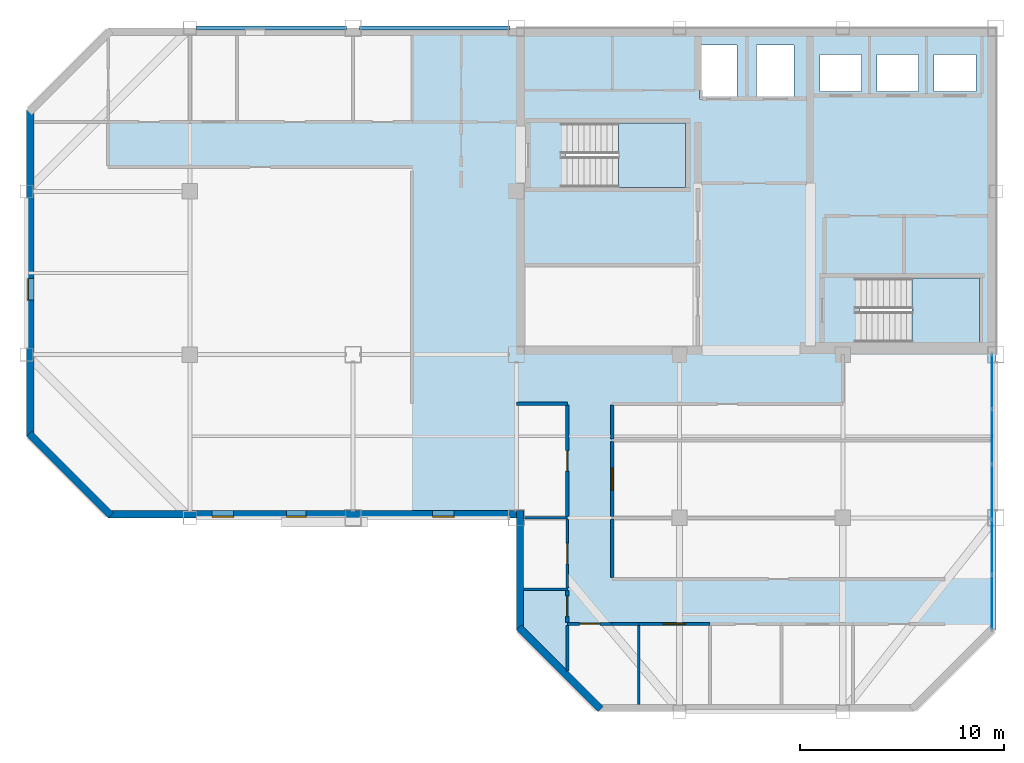
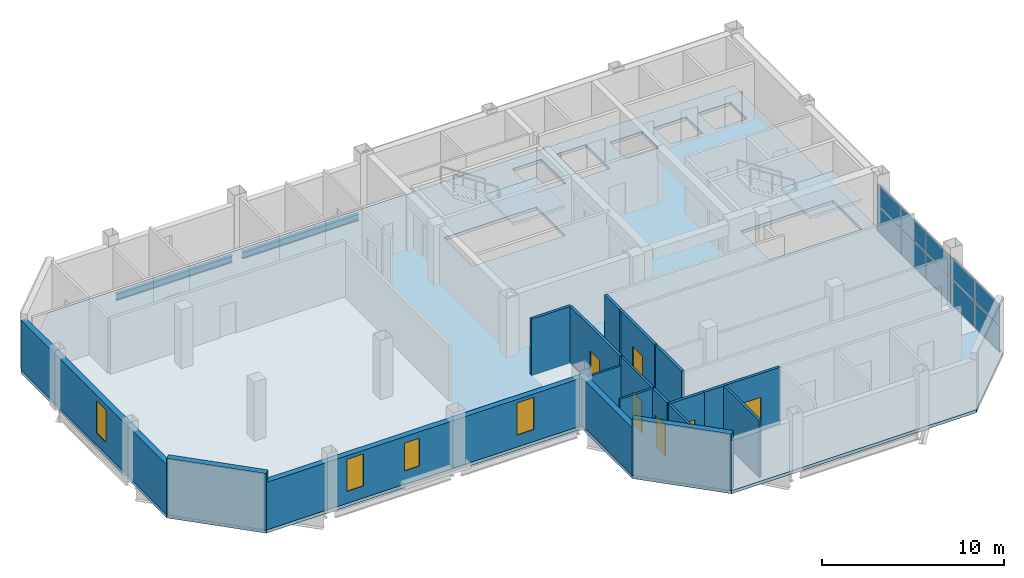
# One storey, part 7 of 13: 19 walls, 10 plates, 6 doors, 4 windows, 3 slabs, 2 beams, 10 openings, 3 elements without a shape of their own.
"""IFC4 building model written with IfcOpenShell, lengths in metres."""

from ifc_helpers import new_model, si_unit, direction, frame, frame_2d, origin, origin_2d, place, context, subcontext, project, spatial, polyline, rectangle, i_section, outline, extrude, material, layer, layer_set, material_profile, profile_set, type_object, element, fill, aggregate, save


model = new_model("IFC4")

# Units and contexts
model_context = context("Model", 3, precision=1e-05, world=origin(), true_north=direction((0.0, 1.0)))
body_context = subcontext(model_context, "Body", "Model", "MODEL_VIEW")
ifc_project = project(units=[si_unit("LENGTHUNIT", "METRE"), si_unit("AREAUNIT", "SQUARE_METRE"), si_unit("VOLUMEUNIT", "CUBIC_METRE"), si_unit("PLANEANGLEUNIT", "RADIAN"), si_unit("MASSUNIT", "GRAM", prefix="KILO")], contexts=[model_context])

# Site, building, storey
site_placement = place(None, origin())
site = spatial("IfcSite", under=ifc_project, at=site_placement, CompositionType="ELEMENT")
building_placement = place(site_placement, origin())
building = spatial("IfcBuilding", under=site, at=building_placement, Name="Qianrong Seaharbour Tower", CompositionType="ELEMENT")
storey_placement = place(building_placement, frame((0.0, 0.0, 299.199951171875)))
storey = spatial("IfcBuildingStorey", under=building, at=storey_placement, Name="L72", CompositionType="ELEMENT", Elevation=299.199951171875)

# Beams
ifc_material_1 = material(Name="Structural steel SN400B", Category="steel")
ifc_material_profile = material_profile(ifc_material_1, i_section(OverallWidth=0.199951171875, OverallDepth=0.449951171875, WebThickness=0.009033203125, FlangeThickness=0.013916015625, FilletRadius=0.01806640625, at=origin_2d()), Name="H450x200x9x14")
ifc_profile_set = profile_set([ifc_material_profile], Name="Structural steel SN400B")
beam_type = type_object("IfcBeamType", Name="BM-SP-450", PredefinedType="SPANDREL", material=ifc_profile_set)
for number, where, z_axis, x_axis, name in (
    (1, (24.820068359375, 52.0, -0.43994140625), (1.0, 0.0, 0.0), (0.0, 1.0, 0.0), "L72 Spandrel Girder GH G4-G5"),
    (2, (32.820068359375, 52.0, -0.43994140625), (1.0, 0.0, 0.0), (0.0, 1.0, 0.0), "L72 Spandrel Girder GH G5-G6"),
):
    element("IfcBeam", number, at=place(storey_placement, frame(where, z_axis=z_axis, x_axis=x_axis)), inside=storey, type_object=beam_type, Name=name, PredefinedType="SPANDREL", context=body_context, shape_type="SweptSolid", body=[
        extrude(i_section(OverallWidth=0.199951171875, OverallDepth=0.449951171875, WebThickness=0.009033203125, FlangeThickness=0.013916015625, FilletRadius=0.01806640625, at=origin_2d()), origin(), (0.0, 0.0, 1.0), 7.35986328125),
    ])

# Curtain wall, plates
ifc_material_2 = material(Name="Anodised aluminium 6063-T6 and laminated low-e glass", Category="aluminium")
ifc_layer_1 = layer(ifc_material_2, 0.195068359375)
ifc_layer_set_1 = layer_set([ifc_layer_1], Name="Anodised aluminium 6063-T6 and laminated low-e glass")
curtain_wall_type = type_object("IfcCurtainWallType", Name="CW-SYS-3", PredefinedType="NOTDEFINED", material=ifc_layer_set_1)
curtain_wall_placement = place(storey_placement, origin())
curtain_wall = element("IfcCurtainWall", 3, at=curtain_wall_placement, inside=storey, type_object=curtain_wall_type, Name="L72 Sky-Garden Wintergarden Curtain Wall EAST_WING", PredefinedType="NOTDEFINED")
ifc_material_3 = material(Name="Laminated solar-control low-e glass", Category="glass")
ifc_layer_2 = layer(ifc_material_3, 0.031982421875)
ifc_layer_set_2 = layer_set([ifc_layer_2], Name="Laminated solar-control low-e glass")
plate_type = type_object("IfcPlateType", Name="CW-PAN-VISION-32", PredefinedType="CURTAIN_PANEL", material=ifc_layer_set_2)
plate_1_placement = place(storey_placement, frame((63.820068359375, 34.677490234375, 0.06494140625), z_axis=(0.0, 0.0, 1.0), x_axis=(0.0, -1.0, 0.0)))
plate_1 = element("IfcPlate", 4, at=plate_1_placement, type_object=plate_type, Name="CW-3 panel 1.1", PredefinedType="CURTAIN_PANEL", context=body_context, shape_type="SweptSolid", body=[
    extrude(rectangle(XDim=2.60498046875, YDim=0.031982421875, at=origin_2d()), origin(), (0.0, 0.0, 1.0), 1.714599609375),
])
plate_2_placement = place(storey_placement, frame((63.820068359375, 34.677490234375, 1.8447265625), z_axis=(0.0, 0.0, 1.0), x_axis=(0.0, -1.0, 0.0)))
plate_2 = element("IfcPlate", 5, at=plate_2_placement, type_object=plate_type, Name="CW-3 panel 1.2", PredefinedType="CURTAIN_PANEL", context=body_context, shape_type="SweptSolid", body=[
    extrude(rectangle(XDim=2.60498046875, YDim=0.031982421875, at=origin_2d()), origin(), (0.0, 0.0, 1.0), 1.38525390625),
])
plate_3_placement = place(storey_placement, frame((63.820068359375, 31.985107421875, 0.06494140625), z_axis=(0.0, 0.0, 1.0), x_axis=(0.0, -1.0, 0.0)))
plate_3 = element("IfcPlate", 6, at=plate_3_placement, type_object=plate_type, Name="CW-3 panel 2.1", PredefinedType="CURTAIN_PANEL", context=body_context, shape_type="SweptSolid", body=[
    extrude(rectangle(XDim=2.639892578125, YDim=0.031982421875, at=origin_2d()), origin(), (0.0, 0.0, 1.0), 1.714599609375),
])
plate_4_placement = place(storey_placement, frame((63.820068359375, 31.985107421875, 1.8447265625), z_axis=(0.0, 0.0, 1.0), x_axis=(0.0, -1.0, 0.0)))
plate_4 = element("IfcPlate", 7, at=plate_4_placement, type_object=plate_type, Name="CW-3 panel 2.2", PredefinedType="CURTAIN_PANEL", context=body_context, shape_type="SweptSolid", body=[
    extrude(rectangle(XDim=2.639892578125, YDim=0.031982421875, at=origin_2d()), origin(), (0.0, 0.0, 1.0), 1.38525390625),
])
plate_5_placement = place(storey_placement, frame((63.820068359375, 29.27490234375, 0.06494140625), z_axis=(0.0, 0.0, 1.0), x_axis=(0.0, -1.0, 0.0)))
plate_5 = element("IfcPlate", 8, at=plate_5_placement, type_object=plate_type, Name="CW-3 panel 3.1", PredefinedType="CURTAIN_PANEL", context=body_context, shape_type="SweptSolid", body=[
    extrude(rectangle(XDim=2.639892578125, YDim=0.031982421875, at=origin_2d()), origin(), (0.0, 0.0, 1.0), 1.714599609375),
])
plate_6_placement = place(storey_placement, frame((63.820068359375, 29.27490234375, 1.8447265625), z_axis=(0.0, 0.0, 1.0), x_axis=(0.0, -1.0, 0.0)))
plate_6 = element("IfcPlate", 9, at=plate_6_placement, type_object=plate_type, Name="CW-3 panel 3.2", PredefinedType="CURTAIN_PANEL", context=body_context, shape_type="SweptSolid", body=[
    extrude(rectangle(XDim=2.639892578125, YDim=0.031982421875, at=origin_2d()), origin(), (0.0, 0.0, 1.0), 1.38525390625),
])
plate_7_placement = place(storey_placement, frame((63.820068359375, 26.56494140625, 0.06494140625), z_axis=(0.0, 0.0, 1.0), x_axis=(0.0, -1.0, 0.0)))
plate_7 = element("IfcPlate", 10, at=plate_7_placement, type_object=plate_type, Name="CW-3 panel 4.1", PredefinedType="CURTAIN_PANEL", context=body_context, shape_type="SweptSolid", body=[
    extrude(rectangle(XDim=2.639892578125, YDim=0.031982421875, at=origin_2d()), origin(), (0.0, 0.0, 1.0), 1.714599609375),
])
plate_8_placement = place(storey_placement, frame((63.820068359375, 26.56494140625, 1.8447265625), z_axis=(0.0, 0.0, 1.0), x_axis=(0.0, -1.0, 0.0)))
plate_8 = element("IfcPlate", 11, at=plate_8_placement, type_object=plate_type, Name="CW-3 panel 4.2", PredefinedType="CURTAIN_PANEL", context=body_context, shape_type="SweptSolid", body=[
    extrude(rectangle(XDim=2.639892578125, YDim=0.031982421875, at=origin_2d()), origin(), (0.0, 0.0, 1.0), 1.38525390625),
])
plate_9_placement = place(storey_placement, frame((63.820068359375, 23.87255859375, 0.06494140625), z_axis=(0.0, 0.0, 1.0), x_axis=(0.0, -1.0, 0.0)))
plate_9 = element("IfcPlate", 12, at=plate_9_placement, type_object=plate_type, Name="CW-3 panel 5.1", PredefinedType="CURTAIN_PANEL", context=body_context, shape_type="SweptSolid", body=[
    extrude(rectangle(XDim=2.60498046875, YDim=0.031982421875, at=origin_2d()), origin(), (0.0, 0.0, 1.0), 1.714599609375),
])
plate_10_placement = place(storey_placement, frame((63.820068359375, 23.87255859375, 1.8447265625), z_axis=(0.0, 0.0, 1.0), x_axis=(0.0, -1.0, 0.0)))
plate_10 = element("IfcPlate", 13, at=plate_10_placement, type_object=plate_type, Name="CW-3 panel 5.2", PredefinedType="CURTAIN_PANEL", context=body_context, shape_type="SweptSolid", body=[
    extrude(rectangle(XDim=2.60498046875, YDim=0.031982421875, at=origin_2d()), origin(), (0.0, 0.0, 1.0), 1.38525390625),
])
aggregate(curtain_wall, [plate_1, plate_2, plate_3, plate_4, plate_5, plate_6, plate_7, plate_8, plate_9, plate_10])

# Stair, slab
ifc_material_4 = material(Name="Concrete C50/60", Category="concrete")
stair_type = type_object("IfcStairType", Name="STAIR-DOGLEG-1500-R22", PredefinedType="HALF_TURN_STAIR", material=ifc_material_4)
stair_1_placement = place(storey_placement, origin())
stair_1 = element("IfcStair", 14, at=stair_1_placement, inside=storey, type_object=stair_type, Name="L72 Protected Escape Stair ST-1", PredefinedType="HALF_TURN_STAIR")
ifc_layer_3 = layer(ifc_material_4, 0.199951171875)
ifc_layer_set_3 = layer_set([ifc_layer_3], Name="Concrete C50/60")
slab_type_1 = type_object("IfcSlabType", Name="SLAB-STAIR-LANDING-200", PredefinedType="LANDING", material=ifc_layer_set_3)
slab_1_placement = place(storey_placement, frame((0.0, 0.0, 1.800048828125)))
slab_1 = element("IfcSlab", 15, at=slab_1_placement, type_object=slab_type_1, Name="ST-1 landing 1", PredefinedType="LANDING", context=body_context, shape_type="SweptSolid", body=[
    extrude(outline(polyline([(45.5, 44.199951171875), (48.800048828125, 44.199951171875), (48.800048828125, 47.35009765625), (45.5, 47.35009765625), (45.5, 44.199951171875)])), origin(), (0.0, 0.0, 1.0), 0.199951171875),
])
aggregate(stair_1, [slab_1])

stair_2_placement = place(storey_placement, origin())
stair_2 = element("IfcStair", 16, at=stair_2_placement, inside=storey, type_object=stair_type, Name="L72 Protected Escape Stair ST-2", PredefinedType="HALF_TURN_STAIR")
slab_2_placement = place(storey_placement, frame((0.0, 0.0, 1.800048828125)))
slab_2 = element("IfcSlab", 17, at=slab_2_placement, type_object=slab_type_1, Name="ST-2 landing 1", PredefinedType="LANDING", context=body_context, shape_type="SweptSolid", body=[
    extrude(outline(polyline([(59.89990234375, 36.60009765625), (63.199951171875, 36.60009765625), (63.199951171875, 39.75), (59.89990234375, 39.75), (59.89990234375, 36.60009765625)])), origin(), (0.0, 0.0, 1.0), 0.199951171875),
])
aggregate(stair_2, [slab_2])

# Slab
ifc_layer_4 = layer(ifc_material_4, 0.215087890625)
ifc_layer_set_4 = layer_set([ifc_layer_4], Name="Concrete C50/60")
slab_type_2 = type_object("IfcSlabType", Name="SLAB-Z4-215", PredefinedType="FLOOR", material=ifc_layer_set_4)
slab_3_placement = place(storey_placement, frame((0.0, 0.0, -0.21484375)))
element("IfcSlab", 18, at=slab_3_placement, inside=storey, type_object=slab_type_2, Name="L72 Structural Floor Slab", PredefinedType="FLOOR", context=body_context, shape_type="SweptSolid", body=[
    extrude(outline(polyline([(44.5, 18.5), (60.0, 18.5), (64.0, 22.5), (64.0, 52.0), (20.5, 52.0), (16.5, 48.0), (16.5, 32.0), (20.5, 28.0), (40.5, 28.0), (40.5, 22.5), (44.5, 18.5)]), holes=[polyline([(42.93994140625, 44.199951171875), (42.93994140625, 47.35009765625), (48.800048828125, 47.35009765625), (48.800048828125, 44.199951171875), (42.93994140625, 44.199951171875)]), polyline([(57.340087890625, 36.60009765625), (57.340087890625, 39.75), (63.199951171875, 39.75), (63.199951171875, 36.60009765625), (57.340087890625, 36.60009765625)]), polyline([(49.47998046875, 48.530029296875), (49.47998046875, 51.169921875), (51.320068359375, 51.169921875), (51.320068359375, 48.530029296875), (49.47998046875, 48.530029296875)]), polyline([(52.280029296875, 48.530029296875), (52.280029296875, 51.169921875), (54.1201171875, 51.169921875), (54.1201171875, 48.530029296875), (52.280029296875, 48.530029296875)]), polyline([(55.3798828125, 48.89990234375), (55.3798828125, 50.699951171875), (57.419921875, 50.699951171875), (57.419921875, 48.89990234375), (55.3798828125, 48.89990234375)]), polyline([(58.179931640625, 48.89990234375), (58.179931640625, 50.699951171875), (60.219970703125, 50.699951171875), (60.219970703125, 48.89990234375), (58.179931640625, 48.89990234375)]), polyline([(60.97998046875, 48.89990234375), (60.97998046875, 50.699951171875), (63.02001953125, 50.699951171875), (63.02001953125, 48.89990234375), (60.97998046875, 48.89990234375)])]), origin(), (0.0, 0.0, 1.0), 0.21484375),
])

# Walls
ifc_material_5 = material(Name="Fire-rated acoustic gypsum board partition")
ifc_layer_5 = layer(ifc_material_5, 0.1650390625)
ifc_layer_set_5 = layer_set([ifc_layer_5], Name="Fire-rated acoustic gypsum board partition")
wall_type_1 = type_object("IfcWallType", Name="WALL-CORR-PART-165", PredefinedType="PARTITIONING", material=ifc_layer_set_5)
wall_1_placement = place(storey_placement, frame((43.0, 33.60009765625, 0.0), z_axis=(0.0, 0.0, 1.0), x_axis=(-1.0, 0.0, 0.0)))
element("IfcWall", 19, at=wall_1_placement, inside=storey, type_object=wall_type_1, Name="L72 Interior Partition Wall 027", PredefinedType="PARTITIONING", context=body_context, shape_type="SweptSolid", body=[
    extrude(rectangle(XDim=2.5, YDim=0.1650390625, at=frame_2d((1.25, 0.0))), origin(), (0.0, 0.0, 1.0), 3.78515625),
])
wall_2_placement = place(storey_placement, frame((45.199951171875, 27.935546875, 0.0), z_axis=(0.0, 0.0, 1.0), x_axis=(0.0, -1.0, 0.0)))
element("IfcWall", 20, at=wall_2_placement, inside=storey, type_object=wall_type_1, Name="L72 Interior Partition Wall 028", PredefinedType="PARTITIONING", context=body_context, shape_type="SweptSolid", body=[
    extrude(rectangle(XDim=2.861083984375, YDim=0.1650390625, at=frame_2d((1.4306640625, 0.0))), origin(), (0.0, 0.0, 1.0), 3.78515625),
])

# Wall, opening, door
wall_3_placement = place(storey_placement, frame((45.199951171875, 31.735595703125, 0.0), z_axis=(0.0, 0.0, 1.0), x_axis=(0.0, -1.0, 0.0)))
wall_3 = element("IfcWall", 21, at=wall_3_placement, inside=storey, type_object=wall_type_1, Name="L72 Interior Partition Wall 029", PredefinedType="PARTITIONING", context=body_context, shape_type="SweptSolid", body=[
    extrude(rectangle(XDim=3.671142578125, YDim=0.1650390625, at=frame_2d((1.83544921875, 0.0))), origin(), (0.0, 0.0, 1.0), 3.78515625),
])
opening_1_placement = place(wall_3_placement, frame((1.285400390625, 0.0, 0.0)))
opening_1 = element("IfcOpeningElement", 22, at=opening_1_placement, cuts=wall_3, Name="Opening DM-01", PredefinedType="OPENING", context=body_context, shape_type="SweptSolid", body=[
    extrude(rectangle(XDim=1.10009765625, YDim=2.199951171875, at=frame_2d((0.550048828125, 1.10009765625))), frame((0.0, 0.092529296875, 0.0), z_axis=(0.0, -1.0, 0.0), x_axis=(1.0, 0.0, 0.0)), (0.0, 0.0, 1.0), 0.18505859375),
])
ifc_material_6 = material(Name="Acoustic timber and galvanized steel fire door assembly", Category="steel")
door_type_1 = type_object("IfcDoorType", Name="DOOR-MEET-1100x2200", OperationType="NOTDEFINED", PredefinedType="DOOR", material=ifc_material_6)
door_1_placement = place(opening_1_placement, origin())
door_1 = element("IfcDoor", 23, at=door_1_placement, inside=storey, type_object=door_type_1, Name="L72 Boardroom 2 Door", OperationType="SINGLE_SWING_RIGHT", OverallHeight=2.199951171875, OverallWidth=1.10009765625, PredefinedType="DOOR", context=body_context, shape_type="SweptSolid", body=[
    extrude(rectangle(XDim=1.10009765625, YDim=2.199951171875, at=frame_2d((0.550048828125, 1.10009765625))), frame((0.0, 0.02490234375, 0.0), z_axis=(0.0, -1.0, 0.0), x_axis=(1.0, 0.0, 0.0)), (0.0, 0.0, 1.0), 0.050048828125),
])
fill(opening_1, door_1)

# Wall
wall_4_placement = place(storey_placement, frame((45.199951171875, 33.525390625, 0.0), z_axis=(0.0, 0.0, 1.0), x_axis=(0.0, -1.0, 0.0)))
element("IfcWall", 24, at=wall_4_placement, inside=storey, type_object=wall_type_1, Name="L72 Interior Partition Wall 030", PredefinedType="PARTITIONING", context=body_context, shape_type="SweptSolid", body=[
    extrude(rectangle(XDim=1.660888671875, YDim=0.1650390625, at=frame_2d((0.83056640625, 0.0))), origin(), (0.0, 0.0, 1.0), 3.78515625),
])

# Wall, opening, door
wall_5_placement = place(storey_placement, frame((43.0, 22.87451171875, 0.0), z_axis=(0.0, 0.0, 1.0), x_axis=(0.0, 1.0, 0.0)))
wall_5 = element("IfcWall", 25, at=wall_5_placement, inside=storey, type_object=wall_type_1, Name="L72 Interior Partition Wall 031", PredefinedType="PARTITIONING", context=body_context, shape_type="SweptSolid", body=[
    extrude(rectangle(XDim=1.568603515625, YDim=0.1650390625, at=frame_2d((0.7841796875, 0.0))), origin(), (0.0, 0.0, 1.0), 3.78515625),
])
opening_2_placement = place(wall_5_placement, frame((0.2841796875, 0.0, 0.0)))
opening_2 = element("IfcOpeningElement", 26, at=opening_2_placement, cuts=wall_5, Name="Opening DO-01", PredefinedType="OPENING", context=body_context, shape_type="SweptSolid", body=[
    extrude(rectangle(XDim=1.0, YDim=2.14990234375, at=frame_2d((0.5, 1.074951171875))), frame((0.0, 0.092529296875, 0.0), z_axis=(0.0, -1.0, 0.0), x_axis=(1.0, 0.0, 0.0)), (0.0, 0.0, 1.0), 0.18505859375),
])
door_type_2 = type_object("IfcDoorType", Name="DOOR-OFFICE-1000x2150", OperationType="NOTDEFINED", PredefinedType="DOOR", material=ifc_material_6)
door_2_placement = place(opening_2_placement, origin())
door_2 = element("IfcDoor", 27, at=door_2_placement, inside=storey, type_object=door_type_2, Name="L72 Executive Office 1 Door", OperationType="SINGLE_SWING_RIGHT", OverallHeight=2.14990234375, OverallWidth=1.0, PredefinedType="DOOR", context=body_context, shape_type="SweptSolid", body=[
    extrude(rectangle(XDim=1.0, YDim=2.14990234375, at=frame_2d((0.5, 1.074951171875))), frame((0.0, 0.02490234375, 0.0), z_axis=(0.0, -1.0, 0.0), x_axis=(1.0, 0.0, 0.0)), (0.0, 0.0, 1.0), 0.050048828125),
])
fill(opening_2, door_2)

wall_6_placement = place(storey_placement, frame((43.0, 28.056884765625, 0.0), z_axis=(0.0, 0.0, 1.0), x_axis=(0.0, 1.0, 0.0)))
wall_6 = element("IfcWall", 28, at=wall_6_placement, inside=storey, type_object=wall_type_1, Name="L72 Interior Partition Wall 033", PredefinedType="PARTITIONING", context=body_context, shape_type="SweptSolid", body=[
    extrude(rectangle(XDim=5.468505859375, YDim=0.1650390625, at=frame_2d((2.734375, 0.0))), origin(), (0.0, 0.0, 1.0), 3.78515625),
])
opening_3_placement = place(wall_6_placement, frame((2.234130859375, 0.0, 0.0)))
opening_3 = element("IfcOpeningElement", 29, at=opening_3_placement, cuts=wall_6, Name="Opening DO-01", PredefinedType="OPENING", context=body_context, shape_type="SweptSolid", body=[
    extrude(rectangle(XDim=1.0, YDim=2.14990234375, at=frame_2d((0.5, 1.074951171875))), frame((0.0, 0.092529296875, 0.0), z_axis=(0.0, -1.0, 0.0), x_axis=(1.0, 0.0, 0.0)), (0.0, 0.0, 1.0), 0.18505859375),
])
door_3_placement = place(opening_3_placement, origin())
door_3 = element("IfcDoor", 30, at=door_3_placement, inside=storey, type_object=door_type_2, Name="L72 Focus Room 3 Door", OperationType="SINGLE_SWING_RIGHT", OverallHeight=2.14990234375, OverallWidth=1.0, PredefinedType="DOOR", context=body_context, shape_type="SweptSolid", body=[
    extrude(rectangle(XDim=1.0, YDim=2.14990234375, at=frame_2d((0.5, 1.074951171875))), frame((0.0, 0.02490234375, 0.0), z_axis=(0.0, -1.0, 0.0), x_axis=(1.0, 0.0, 0.0)), (0.0, 0.0, 1.0), 0.050048828125),
])
fill(opening_3, door_3)

wall_7_placement = place(storey_placement, frame((45.199951171875, 22.800048828125, 0.0), z_axis=(0.0, 0.0, 1.0), x_axis=(-1.0, 0.0, 0.0)))
wall_7 = element("IfcWall", 31, at=wall_7_placement, inside=storey, type_object=wall_type_1, Name="L72 Interior Partition Wall 034", PredefinedType="PARTITIONING", context=body_context, shape_type="SweptSolid", body=[
    extrude(rectangle(XDim=2.199951171875, YDim=0.1650390625, at=frame_2d((1.10009765625, 0.0))), origin(), (0.0, 0.0, 1.0), 3.78515625),
])
opening_4_placement = place(wall_7_placement, frame((0.60009765625, 0.0, 0.0)))
opening_4 = element("IfcOpeningElement", 32, at=opening_4_placement, cuts=wall_7, Name="Opening DO-01", PredefinedType="OPENING", context=body_context, shape_type="SweptSolid", body=[
    extrude(rectangle(XDim=1.0, YDim=2.14990234375, at=frame_2d((0.5, 1.074951171875))), frame((0.0, 0.092529296875, 0.0), z_axis=(0.0, -1.0, 0.0), x_axis=(1.0, 0.0, 0.0)), (0.0, 0.0, 1.0), 0.18505859375),
])
door_4_placement = place(opening_4_placement, origin())
door_4 = element("IfcDoor", 33, at=door_4_placement, inside=storey, type_object=door_type_2, Name="L72 Executive Office 1 Door", OperationType="SINGLE_SWING_LEFT", OverallHeight=2.14990234375, OverallWidth=1.0, PredefinedType="DOOR", context=body_context, shape_type="SweptSolid", body=[
    extrude(rectangle(XDim=1.0, YDim=2.14990234375, at=frame_2d((0.5, 1.074951171875))), frame((0.0, 0.02490234375, 0.0), z_axis=(0.0, -1.0, 0.0), x_axis=(1.0, 0.0, 0.0)), (0.0, 0.0, 1.0), 0.050048828125),
])
fill(opening_4, door_4)

# Wall
wall_8_placement = place(storey_placement, frame((46.5, 22.800048828125, 0.0), z_axis=(0.0, 0.0, 1.0), x_axis=(-1.0, 0.0, 0.0)))
element("IfcWall", 34, at=wall_8_placement, inside=storey, type_object=wall_type_1, Name="L72 Interior Partition Wall 036", PredefinedType="PARTITIONING", context=body_context, shape_type="SweptSolid", body=[
    extrude(rectangle(XDim=1.300048828125, YDim=0.1650390625, at=frame_2d((0.64990234375, 0.0))), origin(), (0.0, 0.0, 1.0), 3.78515625),
])

# Wall, opening, door
wall_9_placement = place(storey_placement, frame((50.0, 22.800048828125, 0.0), z_axis=(0.0, 0.0, 1.0), x_axis=(-1.0, 0.0, 0.0)))
wall_9 = element("IfcWall", 35, at=wall_9_placement, inside=storey, type_object=wall_type_1, Name="L72 Interior Partition Wall 037", PredefinedType="PARTITIONING", context=body_context, shape_type="SweptSolid", body=[
    extrude(rectangle(XDim=3.5, YDim=0.1650390625, at=frame_2d((1.75, 0.0))), origin(), (0.0, 0.0, 1.0), 3.78515625),
])
opening_5_placement = place(wall_9_placement, frame((1.199951171875, 0.0, 0.0)))
opening_5 = element("IfcOpeningElement", 36, at=opening_5_placement, cuts=wall_9, Name="Opening DM-01", PredefinedType="OPENING", context=body_context, shape_type="SweptSolid", body=[
    extrude(rectangle(XDim=1.10009765625, YDim=2.199951171875, at=frame_2d((0.550048828125, 1.10009765625))), frame((0.0, 0.092529296875, 0.0), z_axis=(0.0, -1.0, 0.0), x_axis=(1.0, 0.0, 0.0)), (0.0, 0.0, 1.0), 0.18505859375),
])
door_5_placement = place(opening_5_placement, origin())
door_5 = element("IfcDoor", 37, at=door_5_placement, inside=storey, type_object=door_type_1, Name="L72 Meeting Room 2 Door", OperationType="SINGLE_SWING_RIGHT", OverallHeight=2.199951171875, OverallWidth=1.10009765625, PredefinedType="DOOR", context=body_context, shape_type="SweptSolid", body=[
    extrude(rectangle(XDim=1.10009765625, YDim=2.199951171875, at=frame_2d((0.550048828125, 1.10009765625))), frame((0.0, 0.02490234375, 0.0), z_axis=(0.0, -1.0, 0.0), x_axis=(1.0, 0.0, 0.0)), (0.0, 0.0, 1.0), 0.050048828125),
])
fill(opening_5, door_5)

# Wall
ifc_material_7 = material(Name="Unitised red brick on Precast concrete C45/55", Category="masonry")
ifc_layer_6 = layer(ifc_material_7, 0.360107421875)
ifc_layer_set_6 = layer_set([ifc_layer_6], Name="Unitised red brick on Precast concrete C45/55")
wall_type_2 = type_object("IfcWallType", Name="WALL-EXT-BRICK-RED-360", PredefinedType="SOLIDWALL", material=ifc_layer_set_6)
wall_10_placement = place(storey_placement, frame((40.679931640625, 22.5, 0.0), z_axis=(0.0, 0.0, 1.0), x_axis=(0.0, 1.0, 0.0)))
element("IfcWall", 38, at=wall_10_placement, inside=storey, type_object=wall_type_2, Name="L72 Exterior Masonry Facade Wall REENTRANT_WEST", PredefinedType="SOLIDWALL", context=body_context, shape_type="SweptSolid", body=[
    extrude(rectangle(XDim=5.860107421875, YDim=0.360107421875, at=frame_2d((2.93017578125, 0.0))), origin(), (0.0, 0.0, 1.0), 3.18505859375),
])

# Wall, openings, windows
wall_11_placement = place(storey_placement, frame((40.52001953125, 28.179931640625, 0.0), z_axis=(0.0, 0.0, 1.0), x_axis=(-1.0, 0.0, 0.0)))
wall_11 = element("IfcWall", 39, at=wall_11_placement, inside=storey, type_object=wall_type_2, Name="L72 Exterior Masonry Facade Wall HARBOUR_RIBBON", PredefinedType="SOLIDWALL", context=body_context, shape_type="SweptSolid", body=[
    extrude(rectangle(XDim=20.02001953125, YDim=0.360107421875, at=frame_2d((10.010009765625, 0.0))), origin(), (0.0, 0.0, 1.0), 3.18505859375),
])
opening_6_placement = place(wall_11_placement, frame((3.074951171875, 0.0, 0.800048828125)))
opening_6 = element("IfcOpeningElement", 40, at=opening_6_placement, cuts=wall_11, Name="Opening WN-14", PredefinedType="OPENING", context=body_context, shape_type="SweptSolid", body=[
    extrude(rectangle(XDim=1.050048828125, YDim=2.14990234375, at=frame_2d((0.52490234375, 1.074951171875))), frame((0.0, 0.18994140625, 0.0), z_axis=(0.0, -1.0, 0.0), x_axis=(1.0, 0.0, 0.0)), (0.0, 0.0, 1.0), 0.380126953125),
])
opening_7_placement = place(wall_11_placement, frame((10.324951171875, 0.0, 0.89990234375)))
opening_7 = element("IfcOpeningElement", 41, at=opening_7_placement, cuts=wall_11, Name="Opening WN-13", PredefinedType="OPENING", context=body_context, shape_type="SweptSolid", body=[
    extrude(rectangle(XDim=0.949951171875, YDim=1.85009765625, at=frame_2d((0.47509765625, 0.925048828125))), frame((0.0, 0.18994140625, 0.0), z_axis=(0.0, -1.0, 0.0), x_axis=(1.0, 0.0, 0.0)), (0.0, 0.0, 1.0), 0.380126953125),
])
opening_8_placement = place(wall_11_placement, frame((13.875, 0.0, 0.800048828125)))
opening_8 = element("IfcOpeningElement", 42, at=opening_8_placement, cuts=wall_11, Name="Opening WN-14", PredefinedType="OPENING", context=body_context, shape_type="SweptSolid", body=[
    extrude(rectangle(XDim=1.050048828125, YDim=2.14990234375, at=frame_2d((0.52490234375, 1.074951171875))), frame((0.0, 0.18994140625, 0.0), z_axis=(0.0, -1.0, 0.0), x_axis=(1.0, 0.0, 0.0)), (0.0, 0.0, 1.0), 0.380126953125),
])
ifc_material_8 = material(Name="Insulated low-e double glazing in thermally broken aluminium 6063-T6 frame", Category="aluminium")
window_type_1 = type_object("IfcWindowType", Name="WIN-NARROW-1050x2150", PartitioningType="SINGLE_PANEL", PredefinedType="WINDOW", material=ifc_material_8)
window_1_placement = place(opening_6_placement, origin())
window_1 = element("IfcWindow", 43, at=window_1_placement, inside=storey, type_object=window_type_1, Name="L72 Deep-Set Punched Window 01.01", OverallHeight=2.14990234375, OverallWidth=1.050048828125, PartitioningType="SINGLE_PANEL", PredefinedType="WINDOW", context=body_context, shape_type="SweptSolid", body=[
    extrude(rectangle(XDim=1.050048828125, YDim=2.14990234375, at=frame_2d((0.52490234375, 1.074951171875))), frame((0.0, 0.150146484375, 0.0), z_axis=(0.0, -1.0, 0.0), x_axis=(1.0, 0.0, 0.0)), (0.0, 0.0, 1.0), 0.06005859375),
])
fill(opening_6, window_1)
window_2_placement = place(opening_8_placement, origin())
window_2 = element("IfcWindow", 44, at=window_2_placement, inside=storey, type_object=window_type_1, Name="L72 Deep-Set Punched Window 01.04", OverallHeight=2.14990234375, OverallWidth=1.050048828125, PartitioningType="SINGLE_PANEL", PredefinedType="WINDOW", context=body_context, shape_type="SweptSolid", body=[
    extrude(rectangle(XDim=1.050048828125, YDim=2.14990234375, at=frame_2d((0.52490234375, 1.074951171875))), frame((0.0, 0.150146484375, 0.0), z_axis=(0.0, -1.0, 0.0), x_axis=(1.0, 0.0, 0.0)), (0.0, 0.0, 1.0), 0.06005859375),
])
fill(opening_8, window_2)
window_type_2 = type_object("IfcWindowType", Name="WIN-NARROW-950x1850", PartitioningType="SINGLE_PANEL", PredefinedType="WINDOW", material=ifc_material_8)
window_3_placement = place(opening_7_placement, origin())
window_3 = element("IfcWindow", 45, at=window_3_placement, inside=storey, type_object=window_type_2, Name="L72 Deep-Set Punched Window 01.03", OverallHeight=1.85009765625, OverallWidth=0.949951171875, PartitioningType="SINGLE_PANEL", PredefinedType="WINDOW", context=body_context, shape_type="SweptSolid", body=[
    extrude(rectangle(XDim=0.949951171875, YDim=1.85009765625, at=frame_2d((0.47509765625, 0.925048828125))), frame((0.0, 0.150146484375, 0.0), z_axis=(0.0, -1.0, 0.0), x_axis=(1.0, 0.0, 0.0)), (0.0, 0.0, 1.0), 0.06005859375),
])
fill(opening_7, window_3)

# Wall
wall_12_placement = place(storey_placement, frame((20.627197265625, 28.127197265625, 0.0), z_axis=(0.0, 0.0, 1.0), x_axis=(-0.707106781187, 0.707106781187, 0.0)))
element("IfcWall", 46, at=wall_12_placement, inside=storey, type_object=wall_type_2, Name="L72 Exterior Masonry Facade Wall E02", PredefinedType="SOLIDWALL", context=body_context, shape_type="SweptSolid", body=[
    extrude(rectangle(XDim=5.65673828125, YDim=0.360107421875, at=frame_2d((2.828369140625, 0.0))), origin(), (0.0, 0.0, 1.0), 3.78515625),
])

# Wall, opening, window
wall_13_placement = place(storey_placement, frame((16.679931640625, 32.0, 0.0), z_axis=(0.0, 0.0, 1.0), x_axis=(0.0, 1.0, 0.0)))
wall_13 = element("IfcWall", 47, at=wall_13_placement, inside=storey, type_object=wall_type_2, Name="L72 Exterior Masonry Facade Wall WEST_TIP", PredefinedType="SOLIDWALL", context=body_context, shape_type="SweptSolid", body=[
    extrude(rectangle(XDim=16.0, YDim=0.360107421875, at=frame_2d((8.0, 0.0))), origin(), (0.0, 0.0, 1.0), 3.3349609375),
])
opening_9_placement = place(wall_13_placement, frame((6.675048828125, 0.0, 0.800048828125)))
opening_9 = element("IfcOpeningElement", 48, at=opening_9_placement, cuts=wall_13, Name="Opening WN-14", PredefinedType="OPENING", context=body_context, shape_type="SweptSolid", body=[
    extrude(rectangle(XDim=1.050048828125, YDim=2.14990234375, at=frame_2d((0.52490234375, 1.074951171875))), frame((0.0, 0.18994140625, 0.0), z_axis=(0.0, -1.0, 0.0), x_axis=(1.0, 0.0, 0.0)), (0.0, 0.0, 1.0), 0.380126953125),
])
window_4_placement = place(opening_9_placement, origin())
window_4 = element("IfcWindow", 49, at=window_4_placement, inside=storey, type_object=window_type_1, Name="L72 Deep-Set Punched Window 03.02", OverallHeight=2.14990234375, OverallWidth=1.050048828125, PartitioningType="SINGLE_PANEL", PredefinedType="WINDOW", context=body_context, shape_type="SweptSolid", body=[
    extrude(rectangle(XDim=1.050048828125, YDim=2.14990234375, at=frame_2d((0.52490234375, 1.074951171875))), frame((0.0, 0.150146484375, 0.0), z_axis=(0.0, -1.0, 0.0), x_axis=(1.0, 0.0, 0.0)), (0.0, 0.0, 1.0), 0.06005859375),
])
fill(opening_9, window_4)

# Walls
wall_14_placement = place(storey_placement, frame((44.627197265625, 18.627197265625, 0.0), z_axis=(0.0, 0.0, 1.0), x_axis=(-0.707106781187, 0.707106781187, 0.0)))
element("IfcWall", 50, at=wall_14_placement, inside=storey, type_object=wall_type_2, Name="L72 Exterior Masonry Facade Wall E09", PredefinedType="SOLIDWALL", context=body_context, shape_type="SweptSolid", body=[
    extrude(rectangle(XDim=5.65673828125, YDim=0.360107421875, at=frame_2d((2.828369140625, 0.0))), origin(), (0.0, 0.0, 1.0), 3.78515625),
])
ifc_material_9 = material(Name="Acoustic gypsum board stud partition")
ifc_layer_7 = layer(ifc_material_9, 0.14501953125)
ifc_layer_set_7 = layer_set([ifc_layer_7], Name="Acoustic gypsum board stud partition")
wall_type_3 = type_object("IfcWallType", Name="WALL-OFFICE-PART-145", PredefinedType="PARTITIONING", material=ifc_layer_set_7)
wall_15_placement = place(storey_placement, frame((43.0, 22.7255859375, 0.0), z_axis=(0.0, 0.0, 1.0), x_axis=(0.0, -1.0, 0.0)))
element("IfcWall", 51, at=wall_15_placement, inside=storey, type_object=wall_type_3, Name="L72 Interior Partition Wall 049", PredefinedType="PARTITIONING", context=body_context, shape_type="SweptSolid", body=[
    extrude(rectangle(XDim=2.227783203125, YDim=0.14501953125, at=frame_2d((1.11376953125, 0.0))), origin(), (0.0, 0.0, 1.0), 3.78515625),
])
wall_16_placement = place(storey_placement, frame((46.5, 22.7255859375, 0.0), z_axis=(0.0, 0.0, 1.0), x_axis=(0.0, -1.0, 0.0)))
element("IfcWall", 52, at=wall_16_placement, inside=storey, type_object=wall_type_3, Name="L72 Interior Partition Wall 051", PredefinedType="PARTITIONING", context=body_context, shape_type="SweptSolid", body=[
    extrude(rectangle(XDim=3.87353515625, YDim=0.14501953125, at=frame_2d((1.936767578125, 0.0))), origin(), (0.0, 0.0, 1.0), 3.78515625),
])

# Wall, opening, door
ifc_material_10 = material(Name="Water-resistant cement board sanitary partition")
ifc_layer_8 = layer(ifc_material_10, 0.1298828125)
ifc_layer_set_8 = layer_set([ifc_layer_8], Name="Water-resistant cement board sanitary partition")
wall_type_4 = type_object("IfcWallType", Name="WALL-WET-PART-130", PredefinedType="PARTITIONING", material=ifc_layer_set_8)
wall_17_placement = place(storey_placement, frame((43.0, 24.556884765625, 0.0), z_axis=(0.0, 0.0, 1.0), x_axis=(0.0, 1.0, 0.0)))
wall_17 = element("IfcWall", 53, at=wall_17_placement, inside=storey, type_object=wall_type_4, Name="L72 Interior Partition Wall 032", PredefinedType="PARTITIONING", context=body_context, shape_type="SweptSolid", body=[
    extrude(rectangle(XDim=3.38623046875, YDim=0.1298828125, at=frame_2d((1.693115234375, 0.0))), origin(), (0.0, 0.0, 1.0), 3.78515625),
])
opening_10_placement = place(wall_17_placement, frame((1.193115234375, 0.0, 0.0)))
opening_10 = element("IfcOpeningElement", 54, at=opening_10_placement, cuts=wall_17, Name="Opening DO-01", PredefinedType="OPENING", context=body_context, shape_type="SweptSolid", body=[
    extrude(rectangle(XDim=1.0, YDim=2.14990234375, at=frame_2d((0.5, 1.074951171875))), frame((0.0, 0.074951171875, 0.0), z_axis=(0.0, -1.0, 0.0), x_axis=(1.0, 0.0, 0.0)), (0.0, 0.0, 1.0), 0.14990234375),
])
door_6_placement = place(opening_10_placement, origin())
door_6 = element("IfcDoor", 55, at=door_6_placement, inside=storey, type_object=door_type_2, Name="L72 Wet Pantry 2 Door", OperationType="SINGLE_SWING_LEFT", OverallHeight=2.14990234375, OverallWidth=1.0, PredefinedType="DOOR", context=body_context, shape_type="SweptSolid", body=[
    extrude(rectangle(XDim=1.0, YDim=2.14990234375, at=frame_2d((0.5, 1.074951171875))), frame((0.0, 0.02490234375, 0.0), z_axis=(0.0, -1.0, 0.0), x_axis=(1.0, 0.0, 0.0)), (0.0, 0.0, 1.0), 0.050048828125),
])
fill(opening_10, door_6)

# Walls
wall_18_placement = place(storey_placement, frame((40.85205078125, 24.5, 0.0), z_axis=(0.0, 0.0, 1.0), x_axis=(1.0, 0.0, 0.0)))
element("IfcWall", 56, at=wall_18_placement, inside=storey, type_object=wall_type_4, Name="L72 Interior Partition Wall 048", PredefinedType="PARTITIONING", context=body_context, shape_type="SweptSolid", body=[
    extrude(rectangle(XDim=2.14794921875, YDim=0.1298828125, at=frame_2d((1.073974609375, 0.0))), origin(), (0.0, 0.0, 1.0), 3.78515625),
])
wall_19_placement = place(storey_placement, frame((40.85205078125, 28.0, 0.0), z_axis=(0.0, 0.0, 1.0), x_axis=(1.0, 0.0, 0.0)))
element("IfcWall", 57, at=wall_19_placement, inside=storey, type_object=wall_type_4, Name="L72 Interior Partition Wall 050", PredefinedType="PARTITIONING", context=body_context, shape_type="SweptSolid", body=[
    extrude(rectangle(XDim=2.14794921875, YDim=0.1298828125, at=frame_2d((1.073974609375, 0.0))), origin(), (0.0, 0.0, 1.0), 3.177001953125),
])

save(model, "model.ifc")
